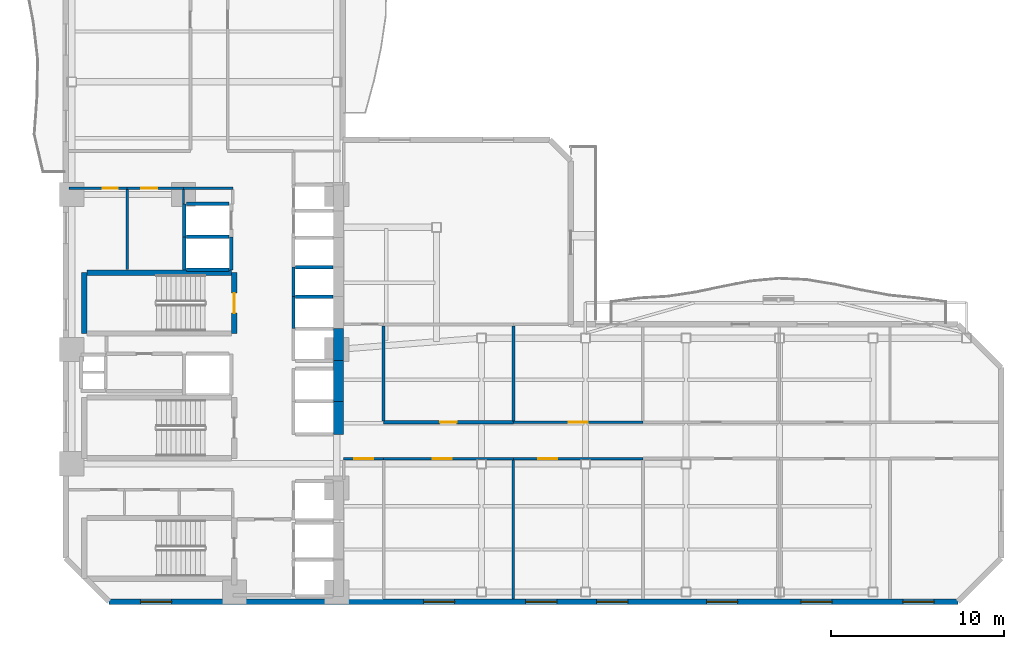
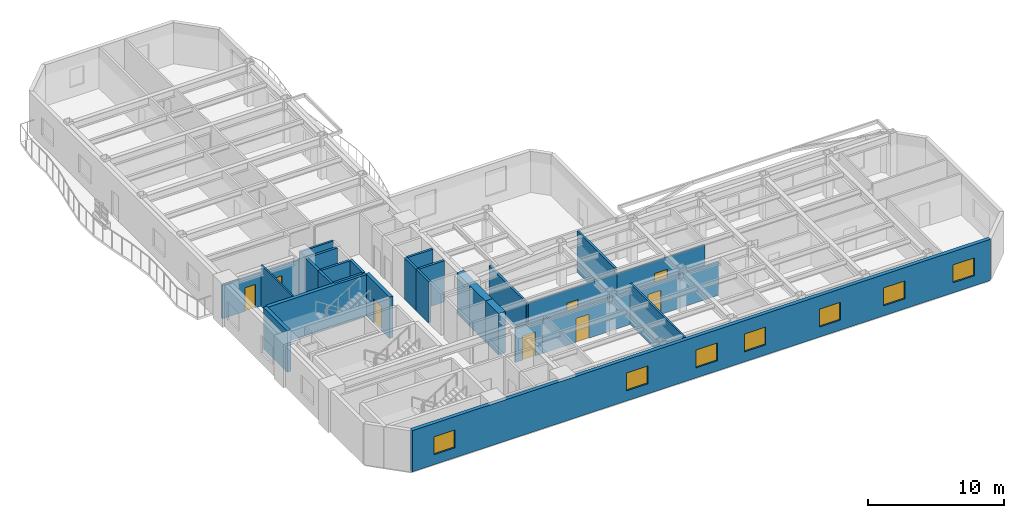
# One storey, part 4 of 10: 30 walls, 8 doors, 7 windows, 15 openings.
"""IFC4 building model written with IfcOpenShell, lengths in metres."""

import ifcopenshell
import ifcopenshell.guid

model = None  # the IFC model being written
_history = None  # IfcOwnerHistory: only IFC2X3 demands one
_inside = {}  # id of a spatial element -> (the spatial element, [elements in it])
_under = {}  # id of a project, library or spatial element -> (it, [spatial elements below it])
_declared = {}  # id of a project -> (the project, [libraries it declares])
_typed = {}  # id of a type object -> (the type object, [elements of that type])
_made_of = {}  # id of a material, layer set ... -> (it, [elements and type objects made of it])


def new_model(schema):
    """Start an empty IFC model of exactly this schema.

    Asked for "IFC4X3", IfcOpenShell would pick the latest addendum, in which some entities
    have other attributes; the version numbers below select the first issue.
    IFC2X3 requires an IfcOwnerHistory on every rooted entity: one is made here for all.
    """
    global model, _history
    if schema == "IFC4X3":
        model = ifcopenshell.file(schema_version=(4, 3, 0, 0))
    else:
        model = ifcopenshell.file(schema=schema)
    _inside.clear()
    _under.clear()
    _declared.clear()
    _typed.clear()
    _made_of.clear()
    _history = None
    if model.schema == "IFC2X3":
        org = make("IfcOrganization", Name="unknown")
        user = make(
            "IfcPersonAndOrganization",
            ThePerson=make("IfcPerson", FamilyName="unknown"),
            TheOrganization=org,
        )
        app = make(
            "IfcApplication",
            ApplicationDeveloper=org,
            Version="unknown",
            ApplicationFullName="unknown",
            ApplicationIdentifier="unknown",
        )
        _history = make(
            "IfcOwnerHistory",
            OwningUser=user,
            OwningApplication=app,
            ChangeAction="ADDED",
            CreationDate=0,
        )
    return model


def make(cls, **values):
    """One entity of the class cls with the attributes given. An attribute that is None is left unset."""
    return model.create_entity(
        cls, **{name: value for name, value in values.items() if value is not None}
    )


def rooted(cls, **values):
    """An entity with a GlobalId (a new one), such as an element, a storey or a relation."""
    return make(cls, GlobalId=ifcopenshell.guid.new(), OwnerHistory=_history, **values)


def si_unit(unit_type, name, prefix=None):
    """IfcSIUnit, for example si_unit("LENGTHUNIT", "METRE", prefix="MILLI")."""
    return make("IfcSIUnit", UnitType=unit_type, Prefix=prefix, Name=name)


def assignment(units):
    """IfcUnitAssignment: the units of a project."""
    return None if units is None else make("IfcUnitAssignment", Units=units)


def point(xyz):
    """IfcCartesianPoint."""
    return None if xyz is None else make("IfcCartesianPoint", Coordinates=xyz)


def direction(xyz):
    """IfcDirection."""
    return None if xyz is None else make("IfcDirection", DirectionRatios=xyz)


def frame(location, z_axis=None, x_axis=None):
    """IfcAxis2Placement3D, a coordinate frame: its origin and axes. An axis left out is left unset."""
    return make(
        "IfcAxis2Placement3D",
        Location=point(location),
        Axis=direction(z_axis),
        RefDirection=direction(x_axis),
    )


def frame_2d(location, x_axis=None):
    """IfcAxis2Placement2D, a coordinate frame in the plane: its origin and x axis."""
    return make(
        "IfcAxis2Placement2D", Location=point(location), RefDirection=direction(x_axis)
    )


def origin():
    """The frame at (0, 0, 0) with its axes left unset."""
    return frame((0.0, 0.0, 0.0))


def place(relative_to, where):
    """IfcLocalPlacement: puts the frame where relative to a parent placement (None: the world)."""
    return make(
        "IfcLocalPlacement", PlacementRelTo=relative_to, RelativePlacement=where
    )


def context(
    kind, dimensions, precision=None, world=None, true_north=None, identifier=None
):
    """IfcGeometricRepresentationContext, for example the 3D "Model" context."""
    return make(
        "IfcGeometricRepresentationContext",
        ContextIdentifier=identifier,
        ContextType=kind,
        CoordinateSpaceDimension=dimensions,
        Precision=precision,
        WorldCoordinateSystem=world,
        TrueNorth=true_north,
    )


def subcontext(parent, identifier, kind, view, scale=None):
    """IfcGeometricRepresentationSubContext, for example "Body" below "Model"."""
    return make(
        "IfcGeometricRepresentationSubContext",
        ContextIdentifier=identifier,
        ContextType=kind,
        ParentContext=parent,
        TargetScale=scale,
        TargetView=view,
    )


def project(units=None, contexts=None):
    """IfcProject with its units and contexts."""
    return rooted(
        "IfcProject",
        Name="project",
        RepresentationContexts=contexts,
        UnitsInContext=assignment(units),
    )


def spatial(cls, under=None, at=None, **own):
    """A site, building, storey or space (cls), placed at a placement, below another one or the project."""
    s = rooted(cls, ObjectPlacement=at, **own)
    if under is not None:
        _under.setdefault(under.id(), (under, []))[1].append(s)
    return s


def profile(cls, at=None, kind="AREA", **sizes):
    """A parametric profile (cls). Its sizes go by their IFC names, for example OverallWidth=200.0."""
    return make(cls, ProfileType=kind, Position=at, **sizes)


def rectangle(**sizes):
    """IfcRectangleProfileDef."""
    return profile("IfcRectangleProfileDef", **sizes)


def extrude(swept, where, along, depth):
    """IfcExtrudedAreaSolid: the profile swept, set in the frame where, extruded along a direction by depth."""
    return make(
        "IfcExtrudedAreaSolid",
        SweptArea=swept,
        Position=where,
        ExtrudedDirection=direction(along),
        Depth=depth,
    )


def shape(context_of_items, identifier, shape_type, items):
    """IfcShapeRepresentation: the items that make up one representation, for example the "Body"."""
    return make(
        "IfcShapeRepresentation",
        ContextOfItems=context_of_items,
        RepresentationIdentifier=identifier,
        RepresentationType=shape_type,
        Items=items,
    )


def material(Name=None, Category=None):
    """IfcMaterial."""
    return make("IfcMaterial", Name=Name, Category=Category)


def layer(
    of_material, thickness, ventilated=None, Name=None, Category=None, Priority=None
):
    """IfcMaterialLayer: one layer of a wall or slab, of a material (None: an air gap)."""
    return make(
        "IfcMaterialLayer",
        Material=of_material,
        LayerThickness=thickness,
        IsVentilated=ventilated,
        Name=Name,
        Category=Category,
        Priority=Priority,
    )


def layer_set(layers, Name=None):
    """IfcMaterialLayerSet."""
    return make("IfcMaterialLayerSet", MaterialLayers=layers, LayerSetName=Name)


def made_of(thing, what):
    """Note that an element or type object is made of a material, layer set ...; save() writes the relation."""
    if what is not None:
        _made_of.setdefault(what.id(), (what, []))[1].append(thing)
    return thing


def type_object(cls, material=None, **own):
    """A type object (cls), such as IfcWallType, which elements share."""
    return made_of(rooted(cls, **own), material)


def element(
    cls,
    number,
    at=None,
    inside=None,
    cuts=None,
    type_object=None,
    material=None,
    context=None,
    identifier="Body",
    shape_type=None,
    held_by="IfcProductDefinitionShape",
    body=None,
    shapes=None,
    **own,
):
    """One element of the class cls, such as IfcWall. Its Tag is "e" and its number.

    at: its placement. inside: the storey or other place that contains it. cuts: it is an
    opening in that element (IfcRelVoidsElement). A single representation is given by context,
    identifier, shape_type and body (its items); several are given by shapes. held_by: the class
    of the entity that holds the representations. save() writes the other relations.
    """
    e = rooted(cls, Tag="e%d" % number, ObjectPlacement=at, **own)
    if body is not None:
        shapes = [shape(context, identifier, shape_type, body)]
    if shapes is not None:
        e.Representation = make(held_by, Representations=shapes)
    if inside is not None:
        _inside.setdefault(inside.id(), (inside, []))[1].append(e)
    if cuts is not None:
        rooted(
            "IfcRelVoidsElement", RelatingBuildingElement=cuts, RelatedOpeningElement=e
        )
    if type_object is not None:
        _typed.setdefault(type_object.id(), (type_object, []))[1].append(e)
    return made_of(e, material)


def fill(opening, filler):
    """IfcRelFillsElement: the door or window that sits in an opening."""
    return rooted(
        "IfcRelFillsElement",
        RelatingOpeningElement=opening,
        RelatedBuildingElement=filler,
    )


def aggregate(whole, parts):
    """IfcRelAggregates: a whole, such as a stair, and the parts it consists of."""
    return rooted("IfcRelAggregates", RelatingObject=whole, RelatedObjects=parts)


def save(model, path):
    """Write the relations noted so far, then the file.

    IfcRelAggregates (storeys below a building ...), IfcRelContainedInSpatialStructure (elements
    in a storey), IfcRelDefinesByType, IfcRelAssociatesMaterial and IfcRelDeclares: one each for
    every whole, place, type object, material and project.
    """
    for whole, parts in _under.values():
        aggregate(whole, parts)
    for where, things in _inside.values():
        rooted(
            "IfcRelContainedInSpatialStructure",
            RelatedElements=things,
            RelatingStructure=where,
        )
    for kind, things in _typed.values():
        rooted("IfcRelDefinesByType", RelatedObjects=things, RelatingType=kind)
    for what, things in _made_of.values():
        rooted("IfcRelAssociatesMaterial", RelatedObjects=things, RelatingMaterial=what)
    for by, libraries in _declared.values():
        rooted("IfcRelDeclares", RelatingContext=by, RelatedDefinitions=libraries)
    model.write(path)


model = new_model("IFC4")

# Units and contexts
model_context = context("Model", 3, precision=1e-05, world=origin(), true_north=direction((0.0, 1.0)))
body_context = subcontext(model_context, "Body", "Model", "MODEL_VIEW")
ifc_project = project(units=[si_unit("LENGTHUNIT", "METRE"), si_unit("AREAUNIT", "SQUARE_METRE"), si_unit("VOLUMEUNIT", "CUBIC_METRE"), si_unit("PLANEANGLEUNIT", "RADIAN"), si_unit("MASSUNIT", "GRAM", prefix="KILO")], contexts=[model_context])

# Site, building, storey
site_placement = place(None, origin())
site = spatial("IfcSite", under=ifc_project, at=site_placement, CompositionType="ELEMENT")
building_placement = place(site_placement, origin())
building = spatial("IfcBuilding", under=site, at=building_placement, Name="Mawjaban Terraces University", CompositionType="ELEMENT")
storey_placement = place(building_placement, frame((0.0, 0.0, 62.199951171875)))
storey = spatial("IfcBuildingStorey", under=building, at=storey_placement, Name="L14", CompositionType="ELEMENT", Elevation=62.199951171875)

# Wall, opening, door
ifc_material_1 = material(Name="Acoustic masonry blockwork", Category="masonry")
ifc_layer_1 = layer(ifc_material_1, 0.179931640625)
ifc_layer_set_1 = layer_set([ifc_layer_1], Name="Acoustic masonry blockwork")
wall_type_1 = type_object("IfcWallType", Name="AcousticStudioWall_180", PredefinedType="PARTITIONING", material=ifc_layer_set_1)
wall_1_placement = place(storey_placement, frame((47.840087890625, 10.35009765625, 0.0), z_axis=(0.0, 0.0, 1.0), x_axis=(-1.0, 0.0, 0.0)))
wall_1 = element("IfcWall", 1, at=wall_1_placement, inside=storey, type_object=wall_type_1, Name="L14 East Academic Spine Corridor Partition 20", PredefinedType="PARTITIONING", context=body_context, shape_type="SweptSolid", body=[
    extrude(rectangle(XDim=7.489990234375, YDim=0.179931640625, at=frame_2d((3.7451171875, 0.0))), origin(), (0.0, 0.0, 1.0), 3.22705078125),
])
opening_1_placement = place(wall_1_placement, frame((3.27001953125, 0.0, 0.0)))
opening_1 = element("IfcOpeningElement", 2, at=opening_1_placement, cuts=wall_1, Name="Opening ID-095", PredefinedType="OPENING", context=body_context, shape_type="SweptSolid", body=[
    extrude(rectangle(XDim=0.949951171875, YDim=2.10009765625, at=frame_2d((0.47509765625, 1.050048828125))), frame((0.0, 0.099853515625, 0.0), z_axis=(0.0, -1.0, 0.0), x_axis=(1.0, 0.0, 0.0)), (0.0, 0.0, 1.0), 0.199951171875),
])
ifc_material_2 = material(Name="Powder-coated steel frame and solid acoustic timber leaf", Category="steel")
door_type_1 = type_object("IfcDoorType", Name="StudioDoor_950x2100", OperationType="NOTDEFINED", PredefinedType="DOOR", material=ifc_material_2)
door_1_placement = place(opening_1_placement, origin())
door_1 = element("IfcDoor", 3, at=door_1_placement, inside=storey, type_object=door_type_1, Name="L14 Design Studio 3 Door", OperationType="SINGLE_SWING_LEFT", OverallHeight=2.10009765625, OverallWidth=0.949951171875, PredefinedType="DOOR", context=body_context, shape_type="SweptSolid", body=[
    extrude(rectangle(XDim=0.949951171875, YDim=2.10009765625, at=frame_2d((0.47509765625, 1.050048828125))), frame((0.0, 0.02490234375, 0.0), z_axis=(0.0, -1.0, 0.0), x_axis=(1.0, 0.0, 0.0)), (0.0, 0.0, 1.0), 0.050048828125),
])
fill(opening_1, door_1)

# Walls
wall_2_placement = place(storey_placement, frame((40.35009765625, 10.43505859375, 0.0), z_axis=(0.0, 0.0, 1.0), x_axis=(0.0, 1.0, 0.0)))
element("IfcWall", 4, at=wall_2_placement, inside=storey, type_object=wall_type_1, Name="L14 East Academic Corridor Vestibule Partition 45", PredefinedType="PARTITIONING", context=body_context, shape_type="SweptSolid", body=[
    extrude(rectangle(XDim=5.47998046875, YDim=0.179931640625, at=frame_2d((2.739990234375, 0.0))), origin(), (0.0, 0.0, 1.0), 3.22705078125),
])
wall_3_placement = place(storey_placement, frame((47.840087890625, 10.43505859375, 0.0), z_axis=(0.0, 0.0, 1.0), x_axis=(0.0, 1.0, 0.0)))
element("IfcWall", 5, at=wall_3_placement, inside=storey, type_object=wall_type_1, Name="L14 Design Studio 3 Partition 47", PredefinedType="PARTITIONING", context=body_context, shape_type="SweptSolid", body=[
    extrude(rectangle(XDim=5.47998046875, YDim=0.179931640625, at=frame_2d((2.739990234375, 0.0))), origin(), (0.0, 0.0, 1.0), 3.68994140625),
])
ifc_material_3 = material(Name="Concrete C70/85", Category="concrete")
ifc_layer_2 = layer(ifc_material_3, 0.60009765625)
ifc_layer_set_2 = layer_set([ifc_layer_2], Name="Concrete C70/85")
wall_type_2 = type_object("IfcWallType", Name="CoreShearWall_600", PredefinedType="SHEAR", material=ifc_layer_set_2)
wall_4_placement = place(storey_placement, frame((37.75, 9.64990234375, 0.0), z_axis=(0.0, 0.0, 1.0), x_axis=(0.0, 1.0, 0.0)))
element("IfcWall", 6, at=wall_4_placement, inside=storey, type_object=wall_type_2, Name="L14 Lift PL-H1 Hoistway Wall East", PredefinedType="SHEAR", context=body_context, shape_type="SweptSolid", body=[
    extrude(rectangle(XDim=1.900146484375, YDim=0.60009765625, at=frame_2d((0.9501953125, 0.0))), origin(), (0.0, 0.0, 1.0), 3.68994140625),
])
wall_5_placement = place(storey_placement, frame((37.75, 11.550048828125, 0.0), z_axis=(0.0, 0.0, 1.0), x_axis=(0.0, 1.0, 0.0)))
element("IfcWall", 7, at=wall_5_placement, inside=storey, type_object=wall_type_2, Name="L14 Lift PL-H2 Hoistway Wall East", PredefinedType="SHEAR", context=body_context, shape_type="SweptSolid", body=[
    extrude(rectangle(XDim=2.349853515625, YDim=0.60009765625, at=frame_2d((1.1748046875, 0.0))), origin(), (0.0, 0.0, 1.0), 3.68994140625),
])
wall_6_placement = place(storey_placement, frame((37.75, 13.89990234375, 0.0), z_axis=(0.0, 0.0, 1.0), x_axis=(0.0, 1.0, 0.0)))
element("IfcWall", 8, at=wall_6_placement, inside=storey, type_object=wall_type_2, Name="L14 Lift OL-1 Hoistway Wall East", PredefinedType="SHEAR", context=body_context, shape_type="SweptSolid", body=[
    extrude(rectangle(XDim=1.85009765625, YDim=0.60009765625, at=frame_2d((0.925048828125, 0.0))), origin(), (0.0, 0.0, 1.0), 3.68994140625),
])

# Wall, opening, door
ifc_material_4 = material(Name="Fire-rated gypsum board on steel stud", Category="steel")
ifc_layer_3 = layer(ifc_material_4, 0.159912109375)
ifc_layer_set_3 = layer_set([ifc_layer_3], Name="Fire-rated gypsum board on steel stud")
wall_type_3 = type_object("IfcWallType", Name="CorridorPartition_160", PredefinedType="PARTITIONING", material=ifc_layer_set_3)
wall_7_placement = place(storey_placement, frame((25.550048828125, 23.85009765625, 0.0), z_axis=(0.0, 0.0, 1.0), x_axis=(-1.0, 0.0, 0.0)))
wall_7 = element("IfcWall", 9, at=wall_7_placement, inside=storey, type_object=wall_type_3, Name="L14 Ablution Room Partition 5", PredefinedType="PARTITIONING", context=body_context, shape_type="SweptSolid", body=[
    extrude(rectangle(XDim=3.35009765625, YDim=0.159912109375, at=frame_2d((1.675048828125, 0.0))), origin(), (0.0, 0.0, 1.0), 2.9951171875),
])
opening_2_placement = place(wall_7_placement, frame((0.534912109375, 0.0, 0.0)))
opening_2 = element("IfcOpeningElement", 10, at=opening_2_placement, cuts=wall_7, Name="Opening ID-088", PredefinedType="OPENING", context=body_context, shape_type="SweptSolid", body=[
    extrude(rectangle(XDim=0.8798828125, YDim=2.10009765625, at=frame_2d((0.43994140625, 1.050048828125))), frame((0.0, 0.08984375, 0.0), z_axis=(0.0, -1.0, 0.0), x_axis=(1.0, 0.0, 0.0)), (0.0, 0.0, 1.0), 0.179931640625),
])
door_type_2 = type_object("IfcDoorType", Name="ToiletDoor_880x2100", OperationType="NOTDEFINED", PredefinedType="DOOR", material=ifc_material_2)
door_2_placement = place(opening_2_placement, origin())
door_2 = element("IfcDoor", 11, at=door_2_placement, inside=storey, type_object=door_type_2, Name="L14 Ablution Room Door", OperationType="SINGLE_SWING_LEFT", OverallHeight=2.10009765625, OverallWidth=0.8798828125, PredefinedType="DOOR", context=body_context, shape_type="SweptSolid", body=[
    extrude(rectangle(XDim=0.8798828125, YDim=2.10009765625, at=frame_2d((0.43994140625, 1.050048828125))), frame((0.0, 0.02490234375, 0.0), z_axis=(0.0, -1.0, 0.0), x_axis=(1.0, 0.0, 0.0)), (0.0, 0.0, 1.0), 0.050048828125),
])
fill(opening_2, door_2)

wall_8_placement = place(storey_placement, frame((28.800048828125, 23.85009765625, 0.0), z_axis=(0.0, 0.0, 1.0), x_axis=(-1.0, 0.0, 0.0)))
wall_8 = element("IfcWall", 12, at=wall_8_placement, inside=storey, type_object=wall_type_3, Name="L14 Cleaner Store Partition 7", PredefinedType="PARTITIONING", context=body_context, shape_type="SweptSolid", body=[
    extrude(rectangle(XDim=3.25, YDim=0.159912109375, at=frame_2d((1.625, 0.0))), origin(), (0.0, 0.0, 1.0), 2.9951171875),
])
opening_3_placement = place(wall_8_placement, frame((1.52490234375, 0.0, 0.0)))
opening_3 = element("IfcOpeningElement", 13, at=opening_3_placement, cuts=wall_8, Name="Opening ID-090", PredefinedType="OPENING", context=body_context, shape_type="SweptSolid", body=[
    extrude(rectangle(XDim=0.89990234375, YDim=2.10009765625, at=frame_2d((0.449951171875, 1.050048828125))), frame((0.0, 0.08984375, 0.0), z_axis=(0.0, -1.0, 0.0), x_axis=(1.0, 0.0, 0.0)), (0.0, 0.0, 1.0), 0.179931640625),
])
door_type_3 = type_object("IfcDoorType", Name="OfficeDoor_900x2100", OperationType="NOTDEFINED", PredefinedType="DOOR", material=ifc_material_2)
door_3_placement = place(opening_3_placement, origin())
door_3 = element("IfcDoor", 14, at=door_3_placement, inside=storey, type_object=door_type_3, Name="L14 Cleaner Store Door", OperationType="SINGLE_SWING_RIGHT", OverallHeight=2.10009765625, OverallWidth=0.89990234375, PredefinedType="DOOR", context=body_context, shape_type="SweptSolid", body=[
    extrude(rectangle(XDim=0.89990234375, YDim=2.10009765625, at=frame_2d((0.449951171875, 1.050048828125))), frame((0.0, 0.02490234375, 0.0), z_axis=(0.0, -1.0, 0.0), x_axis=(1.0, 0.0, 0.0)), (0.0, 0.0, 1.0), 0.050048828125),
])
fill(opening_3, door_3)

# Wall
wall_9_placement = place(storey_placement, frame((28.800048828125, 23.85009765625, 0.0), z_axis=(0.0, 0.0, 1.0), x_axis=(1.0, 0.0, 0.0)))
element("IfcWall", 15, at=wall_9_placement, inside=storey, type_object=wall_type_3, Name="L14 North Core Cross-Corridor Partition 8", PredefinedType="PARTITIONING", context=body_context, shape_type="SweptSolid", body=[
    extrude(rectangle(XDim=2.849853515625, YDim=0.159912109375, at=frame_2d((1.4248046875, 0.0))), origin(), (0.0, 0.0, 1.0), 3.68994140625),
])

# Wall, openings, windows
ifc_material_5 = material(Name="Insulated terracotta rainscreen on concrete backup C40/50", Category="masonry")
ifc_layer_4 = layer(ifc_material_5, 0.320068359375)
ifc_layer_set_4 = layer_set([ifc_layer_4], Name="Insulated terracotta rainscreen on concrete backup C40/50")
wall_type_4 = type_object("IfcWallType", Name="ExtTerracottaWall_320", PredefinedType="SOLIDWALL", material=ifc_layer_set_4)
wall_10_placement = place(storey_placement, frame((24.5, 0.0, 0.0), z_axis=(0.0, 0.0, 1.0), x_axis=(1.0, 0.0, 0.0)))
wall_10 = element("IfcWall", 16, at=wall_10_placement, inside=storey, type_object=wall_type_4, Name="L14 Exterior Terracotta Wall 1", PredefinedType="SOLIDWALL", context=body_context, shape_type="SweptSolid", body=[
    extrude(rectangle(XDim=49.0, YDim=0.320068359375, at=frame_2d((24.5, 0.0))), origin(), (0.0, 0.0, 1.0), 3.68994140625),
])
opening_4_placement = place(wall_10_placement, frame((1.822021484375, 0.0, 0.89990234375)))
opening_4 = element("IfcOpeningElement", 17, at=opening_4_placement, cuts=wall_10, Name="Opening W-03", PredefinedType="OPENING", context=body_context, shape_type="SweptSolid", body=[
    extrude(rectangle(XDim=1.800048828125, YDim=1.60009765625, at=frame_2d((0.89990234375, 0.800048828125))), frame((0.0, 0.169921875, 0.0), z_axis=(0.0, -1.0, 0.0), x_axis=(1.0, 0.0, 0.0)), (0.0, 0.0, 1.0), 0.340087890625),
])
opening_5_placement = place(wall_10_placement, frame((18.156005859375, 0.0, 0.89990234375)))
opening_5 = element("IfcOpeningElement", 18, at=opening_5_placement, cuts=wall_10, Name="Opening W-03", PredefinedType="OPENING", context=body_context, shape_type="SweptSolid", body=[
    extrude(rectangle(XDim=1.800048828125, YDim=1.60009765625, at=frame_2d((0.89990234375, 0.800048828125))), frame((0.0, 0.169921875, 0.0), z_axis=(0.0, -1.0, 0.0), x_axis=(1.0, 0.0, 0.0)), (0.0, 0.0, 1.0), 0.340087890625),
])
opening_6_placement = place(wall_10_placement, frame((24.050048828125, 0.0, 0.89990234375)))
opening_6 = element("IfcOpeningElement", 19, at=opening_6_placement, cuts=wall_10, Name="Opening W-03", PredefinedType="OPENING", context=body_context, shape_type="SweptSolid", body=[
    extrude(rectangle(XDim=1.800048828125, YDim=1.60009765625, at=frame_2d((0.89990234375, 0.800048828125))), frame((0.0, 0.169921875, 0.0), z_axis=(0.0, -1.0, 0.0), x_axis=(1.0, 0.0, 0.0)), (0.0, 0.0, 1.0), 0.340087890625),
])
opening_7_placement = place(wall_10_placement, frame((28.14404296875, 0.0, 0.89990234375)))
opening_7 = element("IfcOpeningElement", 20, at=opening_7_placement, cuts=wall_10, Name="Opening W-03", PredefinedType="OPENING", context=body_context, shape_type="SweptSolid", body=[
    extrude(rectangle(XDim=1.800048828125, YDim=1.60009765625, at=frame_2d((0.89990234375, 0.800048828125))), frame((0.0, 0.169921875, 0.0), z_axis=(0.0, -1.0, 0.0), x_axis=(1.0, 0.0, 0.0)), (0.0, 0.0, 1.0), 0.340087890625),
])
opening_8_placement = place(wall_10_placement, frame((34.489013671875, 0.0, 0.89990234375)))
opening_8 = element("IfcOpeningElement", 21, at=opening_8_placement, cuts=wall_10, Name="Opening W-03", PredefinedType="OPENING", context=body_context, shape_type="SweptSolid", body=[
    extrude(rectangle(XDim=1.800048828125, YDim=1.60009765625, at=frame_2d((0.89990234375, 0.800048828125))), frame((0.0, 0.169921875, 0.0), z_axis=(0.0, -1.0, 0.0), x_axis=(1.0, 0.0, 0.0)), (0.0, 0.0, 1.0), 0.340087890625),
])
opening_9_placement = place(wall_10_placement, frame((39.93310546875, 0.0, 0.89990234375)))
opening_9 = element("IfcOpeningElement", 22, at=opening_9_placement, cuts=wall_10, Name="Opening W-03", PredefinedType="OPENING", context=body_context, shape_type="SweptSolid", body=[
    extrude(rectangle(XDim=1.800048828125, YDim=1.60009765625, at=frame_2d((0.89990234375, 0.800048828125))), frame((0.0, 0.169921875, 0.0), z_axis=(0.0, -1.0, 0.0), x_axis=(1.0, 0.0, 0.0)), (0.0, 0.0, 1.0), 0.340087890625),
])
opening_10_placement = place(wall_10_placement, frame((45.827880859375, 0.0, 0.89990234375)))
opening_10 = element("IfcOpeningElement", 23, at=opening_10_placement, cuts=wall_10, Name="Opening W-03", PredefinedType="OPENING", context=body_context, shape_type="SweptSolid", body=[
    extrude(rectangle(XDim=1.800048828125, YDim=1.60009765625, at=frame_2d((0.89990234375, 0.800048828125))), frame((0.0, 0.169921875, 0.0), z_axis=(0.0, -1.0, 0.0), x_axis=(1.0, 0.0, 0.0)), (0.0, 0.0, 1.0), 0.340087890625),
])
ifc_material_6 = material(Name="Low-E solar-control double glazing in thermally broken aluminium frame", Category="aluminium")
window_type = type_object("IfcWindowType", Name="Win_1800x1600", PartitioningType="SINGLE_PANEL", PredefinedType="WINDOW", material=ifc_material_6)
window_1_placement = place(opening_4_placement, origin())
window_1 = element("IfcWindow", 24, at=window_1_placement, inside=storey, type_object=window_type, Name="L14 Facade Window 1.1", OverallHeight=1.60009765625, OverallWidth=1.800048828125, PartitioningType="SINGLE_PANEL", PredefinedType="WINDOW", context=body_context, shape_type="SweptSolid", body=[
    extrude(rectangle(XDim=1.800048828125, YDim=1.60009765625, at=frame_2d((0.89990234375, 0.800048828125))), frame((0.0, 0.030029296875, 0.0), z_axis=(0.0, -1.0, 0.0), x_axis=(1.0, 0.0, 0.0)), (0.0, 0.0, 1.0), 0.06005859375),
])
fill(opening_4, window_1)
window_2_placement = place(opening_5_placement, origin())
window_2 = element("IfcWindow", 25, at=window_2_placement, inside=storey, type_object=window_type, Name="L14 Facade Window 1.4", OverallHeight=1.60009765625, OverallWidth=1.800048828125, PartitioningType="SINGLE_PANEL", PredefinedType="WINDOW", context=body_context, shape_type="SweptSolid", body=[
    extrude(rectangle(XDim=1.800048828125, YDim=1.60009765625, at=frame_2d((0.89990234375, 0.800048828125))), frame((0.0, 0.030029296875, 0.0), z_axis=(0.0, -1.0, 0.0), x_axis=(1.0, 0.0, 0.0)), (0.0, 0.0, 1.0), 0.06005859375),
])
fill(opening_5, window_2)
window_3_placement = place(opening_6_placement, origin())
window_3 = element("IfcWindow", 26, at=window_3_placement, inside=storey, type_object=window_type, Name="L14 Facade Window 1.5", OverallHeight=1.60009765625, OverallWidth=1.800048828125, PartitioningType="SINGLE_PANEL", PredefinedType="WINDOW", context=body_context, shape_type="SweptSolid", body=[
    extrude(rectangle(XDim=1.800048828125, YDim=1.60009765625, at=frame_2d((0.89990234375, 0.800048828125))), frame((0.0, 0.030029296875, 0.0), z_axis=(0.0, -1.0, 0.0), x_axis=(1.0, 0.0, 0.0)), (0.0, 0.0, 1.0), 0.06005859375),
])
fill(opening_6, window_3)
window_4_placement = place(opening_7_placement, origin())
window_4 = element("IfcWindow", 27, at=window_4_placement, inside=storey, type_object=window_type, Name="L14 Facade Window 1.6", OverallHeight=1.60009765625, OverallWidth=1.800048828125, PartitioningType="SINGLE_PANEL", PredefinedType="WINDOW", context=body_context, shape_type="SweptSolid", body=[
    extrude(rectangle(XDim=1.800048828125, YDim=1.60009765625, at=frame_2d((0.89990234375, 0.800048828125))), frame((0.0, 0.030029296875, 0.0), z_axis=(0.0, -1.0, 0.0), x_axis=(1.0, 0.0, 0.0)), (0.0, 0.0, 1.0), 0.06005859375),
])
fill(opening_7, window_4)
window_5_placement = place(opening_8_placement, origin())
window_5 = element("IfcWindow", 28, at=window_5_placement, inside=storey, type_object=window_type, Name="L14 Facade Window 1.7", OverallHeight=1.60009765625, OverallWidth=1.800048828125, PartitioningType="SINGLE_PANEL", PredefinedType="WINDOW", context=body_context, shape_type="SweptSolid", body=[
    extrude(rectangle(XDim=1.800048828125, YDim=1.60009765625, at=frame_2d((0.89990234375, 0.800048828125))), frame((0.0, 0.030029296875, 0.0), z_axis=(0.0, -1.0, 0.0), x_axis=(1.0, 0.0, 0.0)), (0.0, 0.0, 1.0), 0.06005859375),
])
fill(opening_8, window_5)
window_6_placement = place(opening_9_placement, origin())
window_6 = element("IfcWindow", 29, at=window_6_placement, inside=storey, type_object=window_type, Name="L14 Facade Window 1.8", OverallHeight=1.60009765625, OverallWidth=1.800048828125, PartitioningType="SINGLE_PANEL", PredefinedType="WINDOW", context=body_context, shape_type="SweptSolid", body=[
    extrude(rectangle(XDim=1.800048828125, YDim=1.60009765625, at=frame_2d((0.89990234375, 0.800048828125))), frame((0.0, 0.030029296875, 0.0), z_axis=(0.0, -1.0, 0.0), x_axis=(1.0, 0.0, 0.0)), (0.0, 0.0, 1.0), 0.06005859375),
])
fill(opening_9, window_6)
window_7_placement = place(opening_10_placement, origin())
window_7 = element("IfcWindow", 30, at=window_7_placement, inside=storey, type_object=window_type, Name="L14 Facade Window 1.9", OverallHeight=1.60009765625, OverallWidth=1.800048828125, PartitioningType="SINGLE_PANEL", PredefinedType="WINDOW", context=body_context, shape_type="SweptSolid", body=[
    extrude(rectangle(XDim=1.800048828125, YDim=1.60009765625, at=frame_2d((0.89990234375, 0.800048828125))), frame((0.0, 0.030029296875, 0.0), z_axis=(0.0, -1.0, 0.0), x_axis=(1.0, 0.0, 0.0)), (0.0, 0.0, 1.0), 0.06005859375),
])
fill(opening_10, window_7)

# Walls
ifc_material_7 = material(Name="Concrete C40/50", Category="concrete")
ifc_layer_5 = layer(ifc_material_7, 0.199951171875)
ifc_layer_set_5 = layer_set([ifc_layer_5], Name="Concrete C40/50")
wall_type_5 = type_object("IfcWallType", Name="FireLobbyWall_200", PredefinedType="SOLIDWALL", material=ifc_layer_set_5)
wall_11_placement = place(storey_placement, frame((35.14990234375, 17.60009765625, 0.0), z_axis=(0.0, 0.0, 1.0), x_axis=(0.0, -1.0, 0.0)))
element("IfcWall", 31, at=wall_11_placement, inside=storey, type_object=wall_type_5, Name="L14 Lift OL-2 Hoistway Wall West", PredefinedType="SOLIDWALL", context=body_context, shape_type="SweptSolid", body=[
    extrude(rectangle(XDim=1.85009765625, YDim=0.199951171875, at=frame_2d((0.925048828125, 0.0))), origin(), (0.0, 0.0, 1.0), 3.68994140625),
])
wall_12_placement = place(storey_placement, frame((37.419921875, 17.60009765625, 0.0), z_axis=(0.0, 0.0, 1.0), x_axis=(-1.0, 0.0, 0.0)))
element("IfcWall", 32, at=wall_12_placement, inside=storey, type_object=wall_type_5, Name="L14 Lift OL-2 Hoistway Wall North", PredefinedType="SOLIDWALL", context=body_context, shape_type="SweptSolid", body=[
    extrude(rectangle(XDim=2.139892578125, YDim=0.199951171875, at=frame_2d((1.06982421875, 0.0))), origin(), (0.0, 0.0, 1.0), 3.68994140625),
])
wall_13_placement = place(storey_placement, frame((35.14990234375, 19.300048828125, 0.0), z_axis=(0.0, 0.0, 1.0), x_axis=(0.0, -1.0, 0.0)))
element("IfcWall", 33, at=wall_13_placement, inside=storey, type_object=wall_type_5, Name="L14 Lift PL-M1 Hoistway Wall West", PredefinedType="SOLIDWALL", context=body_context, shape_type="SweptSolid", body=[
    extrude(rectangle(XDim=1.699951171875, YDim=0.199951171875, at=frame_2d((0.85009765625, 0.0))), origin(), (0.0, 0.0, 1.0), 3.68994140625),
])
wall_14_placement = place(storey_placement, frame((37.419921875, 19.300048828125, 0.0), z_axis=(0.0, 0.0, 1.0), x_axis=(-1.0, 0.0, 0.0)))
element("IfcWall", 34, at=wall_14_placement, inside=storey, type_object=wall_type_5, Name="L14 Lift PL-M1 Hoistway Wall North", PredefinedType="SOLIDWALL", context=body_context, shape_type="SweptSolid", body=[
    extrude(rectangle(XDim=2.139892578125, YDim=0.199951171875, at=frame_2d((1.06982421875, 0.0))), origin(), (0.0, 0.0, 1.0), 3.68994140625),
])
for number, where, z_axis, x_axis, name in (
    (35, (28.85009765625, 21.050048828125, 0.0), (0.0, 0.0, 1.0), (0.0, -1.0, 0.0), "L14 Lift PL-M3 Hoistway Wall West"),
    (36, (31.550048828125, 19.14990234375, 0.0), (0.0, 0.0, 1.0), (0.0, 1.0, 0.0), "L14 Lift PL-M3 Hoistway Wall East"),
):
    element("IfcWall", number, at=place(storey_placement, frame(where, z_axis=z_axis, x_axis=x_axis)), inside=storey, type_object=wall_type_5, Name=name, PredefinedType="SOLIDWALL", context=body_context, shape_type="SweptSolid", body=[
        extrude(rectangle(XDim=1.900146484375, YDim=0.199951171875, at=frame_2d((0.9501953125, 0.0))), origin(), (0.0, 0.0, 1.0), 3.68994140625),
    ])
for number, where, z_axis, x_axis, name in (
    (37, (28.97998046875, 19.14990234375, 0.0), (0.0, 0.0, 1.0), (1.0, 0.0, 0.0), "L14 Lift PL-M3 Hoistway Wall South"),
    (38, (31.419921875, 21.050048828125, 0.0), (0.0, 0.0, 1.0), (-1.0, 0.0, 0.0), "L14 Lift PL-M3 Hoistway Wall North"),
):
    element("IfcWall", number, at=place(storey_placement, frame(where, z_axis=z_axis, x_axis=x_axis)), inside=storey, type_object=wall_type_5, Name=name, PredefinedType="SOLIDWALL", context=body_context, shape_type="SweptSolid", body=[
        extrude(rectangle(XDim=2.43994140625, YDim=0.199951171875, at=frame_2d((1.219970703125, 0.0))), origin(), (0.0, 0.0, 1.0), 3.68994140625),
    ])
wall_15_placement = place(storey_placement, frame((28.85009765625, 22.949951171875, 0.0), z_axis=(0.0, 0.0, 1.0), x_axis=(0.0, -1.0, 0.0)))
element("IfcWall", 39, at=wall_15_placement, inside=storey, type_object=wall_type_5, Name="L14 Lift PL-L3 Hoistway Wall West", PredefinedType="SOLIDWALL", context=body_context, shape_type="SweptSolid", body=[
    extrude(rectangle(XDim=1.89990234375, YDim=0.199951171875, at=frame_2d((0.949951171875, 0.0))), origin(), (0.0, 0.0, 1.0), 3.68994140625),
])
wall_16_placement = place(storey_placement, frame((31.429931640625, 22.949951171875, 0.0), z_axis=(0.0, 0.0, 1.0), x_axis=(-1.0, 0.0, 0.0)))
element("IfcWall", 40, at=wall_16_placement, inside=storey, type_object=wall_type_5, Name="L14 Lift PL-L3 Hoistway Wall North", PredefinedType="SOLIDWALL", context=body_context, shape_type="SweptSolid", body=[
    extrude(rectangle(XDim=2.4599609375, YDim=0.199951171875, at=frame_2d((1.22998046875, 0.0))), origin(), (0.0, 0.0, 1.0), 3.68994140625),
])

# Wall, opening, door
ifc_material_8 = material(Name="Moisture-resistant gypsum board on steel stud", Category="steel")
ifc_layer_6 = layer(ifc_material_8, 0.14501953125)
ifc_layer_set_6 = layer_set([ifc_layer_6], Name="Moisture-resistant gypsum board on steel stud")
wall_type_6 = type_object("IfcWallType", Name="LabPartition_145", PredefinedType="PARTITIONING", material=ifc_layer_set_6)
wall_17_placement = place(storey_placement, frame((38.050048828125, 8.25, 0.0), z_axis=(0.0, 0.0, 1.0), x_axis=(1.0, 0.0, 0.0)))
wall_17 = element("IfcWall", 41, at=wall_17_placement, inside=storey, type_object=wall_type_6, Name="L14 East Academic Corridor Vestibule Partition 16", PredefinedType="PARTITIONING", context=body_context, shape_type="SweptSolid", body=[
    extrude(rectangle(XDim=2.300048828125, YDim=0.14501953125, at=frame_2d((1.14990234375, 0.0))), origin(), (0.0, 0.0, 1.0), 2.9951171875),
])
opening_11_placement = place(wall_17_placement, frame((0.60009765625, 0.0, 0.0)))
opening_11 = element("IfcOpeningElement", 42, at=opening_11_placement, cuts=wall_17, Name="Opening ID-110", PredefinedType="OPENING", context=body_context, shape_type="SweptSolid", body=[
    extrude(rectangle(XDim=1.10009765625, YDim=2.14990234375, at=frame_2d((0.550048828125, 1.074951171875))), frame((0.0, 0.08251953125, 0.0), z_axis=(0.0, -1.0, 0.0), x_axis=(1.0, 0.0, 0.0)), (0.0, 0.0, 1.0), 0.1650390625),
])
door_type_4 = type_object("IfcDoorType", Name="LabDoor_1100x2150", OperationType="NOTDEFINED", PredefinedType="DOOR", material=ifc_material_2)
door_4_placement = place(opening_11_placement, origin())
door_4 = element("IfcDoor", 43, at=door_4_placement, inside=storey, type_object=door_type_4, Name="L14 Computational Laboratory 1 Door", OperationType="SINGLE_SWING_LEFT", OverallHeight=2.14990234375, OverallWidth=1.10009765625, PredefinedType="DOOR", context=body_context, shape_type="SweptSolid", body=[
    extrude(rectangle(XDim=1.10009765625, YDim=2.14990234375, at=frame_2d((0.550048828125, 1.074951171875))), frame((0.0, 0.02490234375, 0.0), z_axis=(0.0, -1.0, 0.0), x_axis=(1.0, 0.0, 0.0)), (0.0, 0.0, 1.0), 0.050048828125),
])
fill(opening_11, door_4)

wall_18_placement = place(storey_placement, frame((40.35009765625, 8.25, 0.0), z_axis=(0.0, 0.0, 1.0), x_axis=(1.0, 0.0, 0.0)))
wall_18 = element("IfcWall", 44, at=wall_18_placement, inside=storey, type_object=wall_type_6, Name="L14 East Academic Spine Corridor Partition 17", PredefinedType="PARTITIONING", context=body_context, shape_type="SweptSolid", body=[
    extrude(rectangle(XDim=7.489990234375, YDim=0.14501953125, at=frame_2d((3.7451171875, 0.0))), origin(), (0.0, 0.0, 1.0), 2.9951171875),
])
opening_12_placement = place(wall_18_placement, frame((2.844970703125, 0.0, 0.0)))
opening_12 = element("IfcOpeningElement", 45, at=opening_12_placement, cuts=wall_18, Name="Opening ID-110", PredefinedType="OPENING", context=body_context, shape_type="SweptSolid", body=[
    extrude(rectangle(XDim=1.10009765625, YDim=2.14990234375, at=frame_2d((0.550048828125, 1.074951171875))), frame((0.0, 0.08251953125, 0.0), z_axis=(0.0, -1.0, 0.0), x_axis=(1.0, 0.0, 0.0)), (0.0, 0.0, 1.0), 0.1650390625),
])
door_5_placement = place(opening_12_placement, origin())
door_5 = element("IfcDoor", 46, at=door_5_placement, inside=storey, type_object=door_type_4, Name="L14 Teaching Laboratory 2 Door", OperationType="SINGLE_SWING_RIGHT", OverallHeight=2.14990234375, OverallWidth=1.10009765625, PredefinedType="DOOR", context=body_context, shape_type="SweptSolid", body=[
    extrude(rectangle(XDim=1.10009765625, YDim=2.14990234375, at=frame_2d((0.550048828125, 1.074951171875))), frame((0.0, 0.02490234375, 0.0), z_axis=(0.0, -1.0, 0.0), x_axis=(1.0, 0.0, 0.0)), (0.0, 0.0, 1.0), 0.050048828125),
])
fill(opening_12, door_5)

wall_19_placement = place(storey_placement, frame((47.840087890625, 8.25, 0.0), z_axis=(0.0, 0.0, 1.0), x_axis=(1.0, 0.0, 0.0)))
wall_19 = element("IfcWall", 47, at=wall_19_placement, inside=storey, type_object=wall_type_6, Name="L14 East Academic Spine Corridor Partition 19", PredefinedType="PARTITIONING", context=body_context, shape_type="SweptSolid", body=[
    extrude(rectangle(XDim=7.47998046875, YDim=0.14501953125, at=frame_2d((3.739990234375, 0.0))), origin(), (0.0, 0.0, 1.0), 2.9951171875),
])
opening_13_placement = place(wall_19_placement, frame((1.43994140625, 0.0, 0.0)))
opening_13 = element("IfcOpeningElement", 48, at=opening_13_placement, cuts=wall_19, Name="Opening ID-110", PredefinedType="OPENING", context=body_context, shape_type="SweptSolid", body=[
    extrude(rectangle(XDim=1.10009765625, YDim=2.14990234375, at=frame_2d((0.550048828125, 1.074951171875))), frame((0.0, 0.08251953125, 0.0), z_axis=(0.0, -1.0, 0.0), x_axis=(1.0, 0.0, 0.0)), (0.0, 0.0, 1.0), 0.1650390625),
])
door_6_placement = place(opening_13_placement, origin())
door_6 = element("IfcDoor", 49, at=door_6_placement, inside=storey, type_object=door_type_4, Name="L14 Computational Laboratory 4 Door", OperationType="SINGLE_SWING_RIGHT", OverallHeight=2.14990234375, OverallWidth=1.10009765625, PredefinedType="DOOR", context=body_context, shape_type="SweptSolid", body=[
    extrude(rectangle(XDim=1.10009765625, YDim=2.14990234375, at=frame_2d((0.550048828125, 1.074951171875))), frame((0.0, 0.02490234375, 0.0), z_axis=(0.0, -1.0, 0.0), x_axis=(1.0, 0.0, 0.0)), (0.0, 0.0, 1.0), 0.050048828125),
])
fill(opening_13, door_6)

wall_20_placement = place(storey_placement, frame((55.320068359375, 10.35009765625, 0.0), z_axis=(0.0, 0.0, 1.0), x_axis=(-1.0, 0.0, 0.0)))
wall_20 = element("IfcWall", 50, at=wall_20_placement, inside=storey, type_object=wall_type_6, Name="L14 East Academic Spine Corridor Partition 24", PredefinedType="PARTITIONING", context=body_context, shape_type="SweptSolid", body=[
    extrude(rectangle(XDim=7.47998046875, YDim=0.14501953125, at=frame_2d((3.739990234375, 0.0))), origin(), (0.0, 0.0, 1.0), 3.22705078125),
])
opening_14_placement = place(wall_20_placement, frame((3.18994140625, 0.0, 0.0)))
opening_14 = element("IfcOpeningElement", 51, at=opening_14_placement, cuts=wall_20, Name="Opening ID-110", PredefinedType="OPENING", context=body_context, shape_type="SweptSolid", body=[
    extrude(rectangle(XDim=1.10009765625, YDim=2.14990234375, at=frame_2d((0.550048828125, 1.074951171875))), frame((0.0, 0.08251953125, 0.0), z_axis=(0.0, -1.0, 0.0), x_axis=(1.0, 0.0, 0.0)), (0.0, 0.0, 1.0), 0.1650390625),
])
door_7_placement = place(opening_14_placement, origin())
door_7 = element("IfcDoor", 52, at=door_7_placement, inside=storey, type_object=door_type_4, Name="L14 Teaching Laboratory 5 Door", OperationType="SINGLE_SWING_LEFT", OverallHeight=2.14990234375, OverallWidth=1.10009765625, PredefinedType="DOOR", context=body_context, shape_type="SweptSolid", body=[
    extrude(rectangle(XDim=1.10009765625, YDim=2.14990234375, at=frame_2d((0.550048828125, 1.074951171875))), frame((0.0, 0.02490234375, 0.0), z_axis=(0.0, -1.0, 0.0), x_axis=(1.0, 0.0, 0.0)), (0.0, 0.0, 1.0), 0.050048828125),
])
fill(opening_14, door_7)

# Walls
wall_21_placement = place(storey_placement, frame((47.840087890625, 0.155029296875, 0.0), z_axis=(0.0, 0.0, 1.0), x_axis=(0.0, 1.0, 0.0)))
element("IfcWall", 53, at=wall_21_placement, inside=storey, type_object=wall_type_6, Name="L14 Teaching Laboratory 2 Partition 46", PredefinedType="PARTITIONING", context=body_context, shape_type="SweptSolid", body=[
    extrude(rectangle(XDim=8.02685546875, YDim=0.14501953125, at=frame_2d((4.013427734375, 0.0))), origin(), (0.0, 0.0, 1.0), 3.68994140625),
])
ifc_material_9 = material(Name="Gypsum plasterboard on steel stud", Category="steel")
ifc_layer_7 = layer(ifc_material_9, 0.125)
ifc_layer_set_7 = layer_set([ifc_layer_7], Name="Gypsum plasterboard on steel stud")
wall_type_7 = type_object("IfcWallType", Name="OfficePartition_125", PredefinedType="PARTITIONING", material=ifc_layer_set_7)
wall_22_placement = place(storey_placement, frame((28.800048828125, 22.949951171875, 0.0), z_axis=(0.0, 0.0, 1.0), x_axis=(0.0, 1.0, 0.0)))
element("IfcWall", 54, at=wall_22_placement, inside=storey, type_object=wall_type_7, Name="L14 Cleaner Store Partition 34", PredefinedType="PARTITIONING", context=body_context, shape_type="SweptSolid", body=[
    extrude(rectangle(XDim=0.824951171875, YDim=0.125, at=frame_2d((0.41259765625, 0.0))), origin(), (0.0, 0.0, 1.0), 3.68994140625),
])
ifc_material_10 = material(Name="Concrete C60/75", Category="concrete")
ifc_layer_8 = layer(ifc_material_10, 0.300048828125)
ifc_layer_set_8 = layer_set([ifc_layer_8], Name="Concrete C60/75")
wall_type_8 = type_object("IfcWallType", Name="StairShaftWall_300", PredefinedType="SHEAR", material=ifc_layer_set_8)
wall_23_placement = place(storey_placement, frame((31.580078125, 18.97998046875, 0.0), z_axis=(0.0, 0.0, 1.0), x_axis=(-1.0, 0.0, 0.0)))
element("IfcWall", 55, at=wall_23_placement, inside=storey, type_object=wall_type_8, Name="L14 ST-2 Stair Shaft Wall 1", PredefinedType="SHEAR", context=body_context, shape_type="SweptSolid", body=[
    extrude(rectangle(XDim=8.360107421875, YDim=0.300048828125, at=frame_2d((4.18017578125, 0.0))), origin(), (0.0, 0.0, 1.0), 3.68994140625),
])
wall_24_placement = place(storey_placement, frame((23.070068359375, 18.97998046875, 0.0), z_axis=(0.0, 0.0, 1.0), x_axis=(0.0, -1.0, 0.0)))
element("IfcWall", 56, at=wall_24_placement, inside=storey, type_object=wall_type_8, Name="L14 ST-2 Stair Shaft Wall 2", PredefinedType="SHEAR", context=body_context, shape_type="SweptSolid", body=[
    extrude(rectangle(XDim=3.510009765625, YDim=0.300048828125, at=frame_2d((1.7548828125, 0.0))), origin(), (0.0, 0.0, 1.0), 3.68994140625),
])

# Wall, opening, door
wall_25_placement = place(storey_placement, frame((31.72998046875, 15.469970703125, 0.0), z_axis=(0.0, 0.0, 1.0), x_axis=(0.0, 1.0, 0.0)))
wall_25 = element("IfcWall", 57, at=wall_25_placement, inside=storey, type_object=wall_type_8, Name="L14 ST-2 Stair Shaft Wall 4", PredefinedType="SHEAR", context=body_context, shape_type="SweptSolid", body=[
    extrude(rectangle(XDim=3.510009765625, YDim=0.300048828125, at=frame_2d((1.7548828125, 0.0))), origin(), (0.0, 0.0, 1.0), 3.68994140625),
])
opening_15_placement = place(wall_25_placement, frame((1.179931640625, 0.0, 0.0)))
opening_15 = element("IfcOpeningElement", 58, at=opening_15_placement, cuts=wall_25, Name="Opening FD-115", PredefinedType="OPENING", context=body_context, shape_type="SweptSolid", body=[
    extrude(rectangle(XDim=1.14990234375, YDim=2.14990234375, at=frame_2d((0.574951171875, 1.074951171875))), frame((0.0, 0.159912109375, 0.0), z_axis=(0.0, -1.0, 0.0), x_axis=(1.0, 0.0, 0.0)), (0.0, 0.0, 1.0), 0.320068359375),
])
ifc_material_11 = material(Name="Powder-coated steel frame and fire-rated steel-faced leaf", Category="steel")
door_type_5 = type_object("IfcDoorType", Name="FireStairDoor_1150x2150", OperationType="NOTDEFINED", PredefinedType="DOOR", material=ifc_material_11)
door_8_placement = place(opening_15_placement, origin())
door_8 = element("IfcDoor", 59, at=door_8_placement, inside=storey, type_object=door_type_5, Name="L14 ST-2 Pressurised Stair Fire Door", OperationType="SINGLE_SWING_RIGHT", OverallHeight=2.14990234375, OverallWidth=1.14990234375, PredefinedType="DOOR", context=body_context, shape_type="SweptSolid", body=[
    extrude(rectangle(XDim=1.14990234375, YDim=2.14990234375, at=frame_2d((0.574951171875, 1.074951171875))), frame((0.0, 0.02490234375, 0.0), z_axis=(0.0, -1.0, 0.0), x_axis=(1.0, 0.0, 0.0)), (0.0, 0.0, 1.0), 0.050048828125),
])
fill(opening_15, door_8)

# Wall
ifc_material_12 = material(Name="Cement-board wet-room partition", Category="masonry")
ifc_layer_9 = layer(ifc_material_12, 0.135009765625)
ifc_layer_set_9 = layer_set([ifc_layer_9], Name="Cement-board wet-room partition")
wall_type_9 = type_object("IfcWallType", Name="WetRoomPartition_135", PredefinedType="PARTITIONING", material=ifc_layer_set_9)
wall_26_placement = place(storey_placement, frame((25.550048828125, 19.159912109375, 0.0), z_axis=(0.0, 0.0, 1.0), x_axis=(0.0, 1.0, 0.0)))
element("IfcWall", 60, at=wall_26_placement, inside=storey, type_object=wall_type_9, Name="L14 Ablution Room Partition 32", PredefinedType="PARTITIONING", context=body_context, shape_type="SweptSolid", body=[
    extrude(rectangle(XDim=4.614990234375, YDim=0.135009765625, at=frame_2d((2.3076171875, 0.0))), origin(), (0.0, 0.0, 1.0), 3.68994140625),
])

save(model, "model.ifc")
